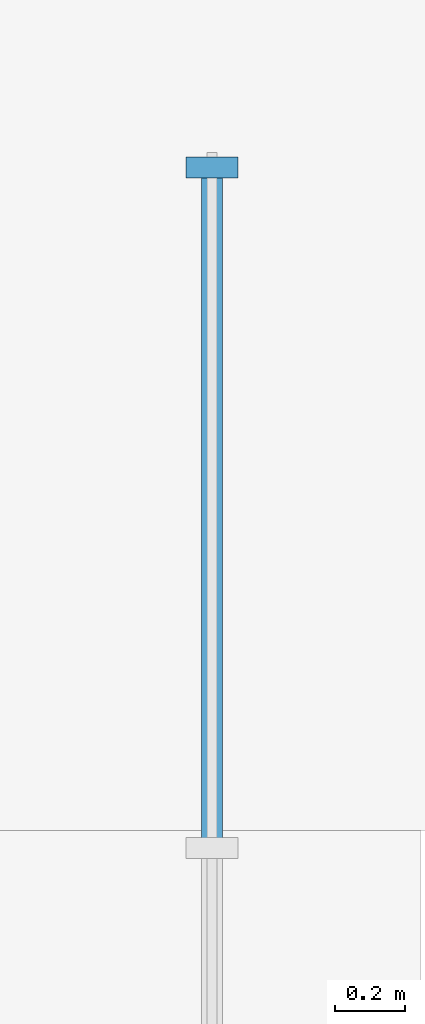
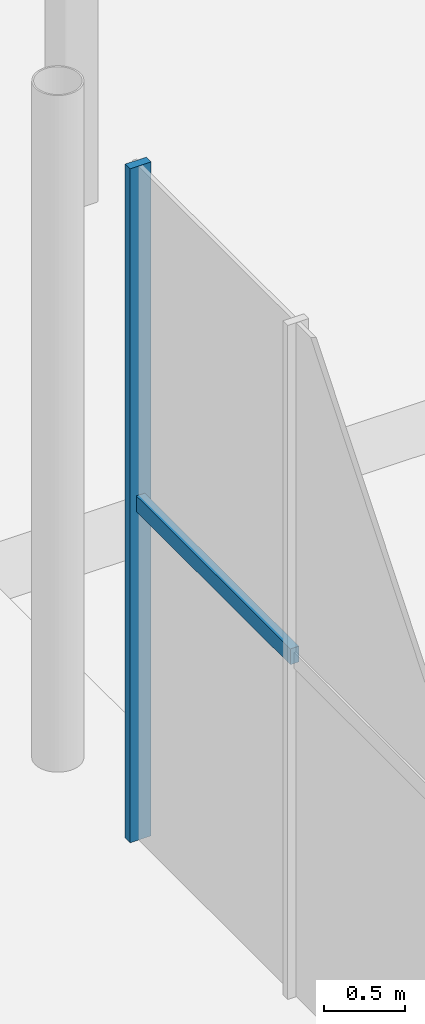
# One storey, part 53 of 87: 2 members, 1 element without a shape of its own.
"""IFC4 building model written with IfcOpenShell, lengths in metres."""

from ifc_helpers import new_model, si_unit, direction, frame, origin, origin_2d, place, context, subcontext, project, spatial, rectangle, extrude, material, material_profile, profile_set, type_object, element, aggregate, save


model = new_model("IFC4")

# Units and contexts
model_context = context("Model", 3, precision=1e-05, world=origin(), true_north=direction((0.0, 1.0)))
body_context = subcontext(model_context, "Body", "Model", "MODEL_VIEW")
ifc_project = project(units=[si_unit("LENGTHUNIT", "METRE"), si_unit("AREAUNIT", "SQUARE_METRE"), si_unit("VOLUMEUNIT", "CUBIC_METRE"), si_unit("PLANEANGLEUNIT", "RADIAN"), si_unit("MASSUNIT", "GRAM", prefix="KILO")], contexts=[model_context])

# Site, building, storey
site_placement = place(None, origin())
site = spatial("IfcSite", under=ifc_project, at=site_placement, CompositionType="ELEMENT")
building_placement = place(site_placement, origin())
building = spatial("IfcBuilding", under=site, at=building_placement, Name="Brisemont Oceanarium", CompositionType="ELEMENT")
storey_placement = place(building_placement, origin())
storey = spatial("IfcBuildingStorey", under=building, at=storey_placement, Name="L00", CompositionType="ELEMENT", Elevation=0.0)

# Curtain wall, members
ifc_material_1 = material(Name="Anodized Extruded Aluminum 6063-T6", Category="aluminium")
curtain_wall_type = type_object("IfcCurtainWallType", Name="CW-GAL-61X43", PredefinedType="NOTDEFINED", material=ifc_material_1)
curtain_wall_placement = place(storey_placement, origin())
curtain_wall = element("IfcCurtainWall", 1, at=curtain_wall_placement, inside=storey, type_object=curtain_wall_type, Name="CW-13 curtain wall CW-V5E-MCB-L00-01", PredefinedType="NOTDEFINED")
ifc_material_2 = material(Name="Anodized Extruded Aluminum 6063-T6", Category="aluminium")
ifc_material_profile_1 = material_profile(ifc_material_2, rectangle(XDim=0.06005859375, YDim=0.14990234375, at=origin_2d()), Name="CWM-60X150")
ifc_profile_set_1 = profile_set([ifc_material_profile_1], Name="Anodized Extruded Aluminum 6063-T6")
member_type_1 = type_object("IfcMemberType", Name="MEM-CWM-60", PredefinedType="MULLION", material=ifc_profile_set_1)
member_1_placement = place(storey_placement, frame((143.39990234375, 62.804931640625, 0.0), z_axis=(0.0, 0.0, 1.0), x_axis=(0.0, 1.0, 0.0)))
member_1 = element("IfcMember", 2, at=member_1_placement, type_object=member_type_1, Name="CW-V5E-MCB-L00-01 mullion 4", PredefinedType="MULLION", context=body_context, shape_type="SweptSolid", body=[
    extrude(rectangle(XDim=0.06005859375, YDim=0.14990234375, at=origin_2d()), origin(), (0.0, 0.0, 1.0), 5.10009765625),
])
ifc_material_3 = material(Name="Anodized Extruded Aluminum 6063-T6", Category="aluminium")
ifc_material_profile_2 = material_profile(ifc_material_3, rectangle(XDim=0.06005859375, YDim=0.1201171875, at=origin_2d()), Name="CWT-60X120")
ifc_profile_set_2 = profile_set([ifc_material_profile_2], Name="Anodized Extruded Aluminum 6063-T6")
member_type_2 = type_object("IfcMemberType", Name="MEM-CWT-60", PredefinedType="USERDEFINED", material=ifc_profile_set_2)
member_2_placement = place(storey_placement, frame((143.39990234375, 60.864990234375, 2.550048828125), z_axis=(0.0, 1.0, 0.0), x_axis=(-1.0, 0.0, 0.0)))
member_2 = element("IfcMember", 3, at=member_2_placement, type_object=member_type_2, Name="CW-V5E-MCB-L00-01 transom 3.1", ObjectType="TRANSOM", PredefinedType="USERDEFINED", context=body_context, shape_type="SweptSolid", body=[
    extrude(rectangle(XDim=0.06005859375, YDim=0.1201171875, at=origin_2d()), origin(), (0.0, 0.0, 1.0), 1.969970703125),
])
aggregate(curtain_wall, [member_1, member_2])

save(model, "model.ifc")
